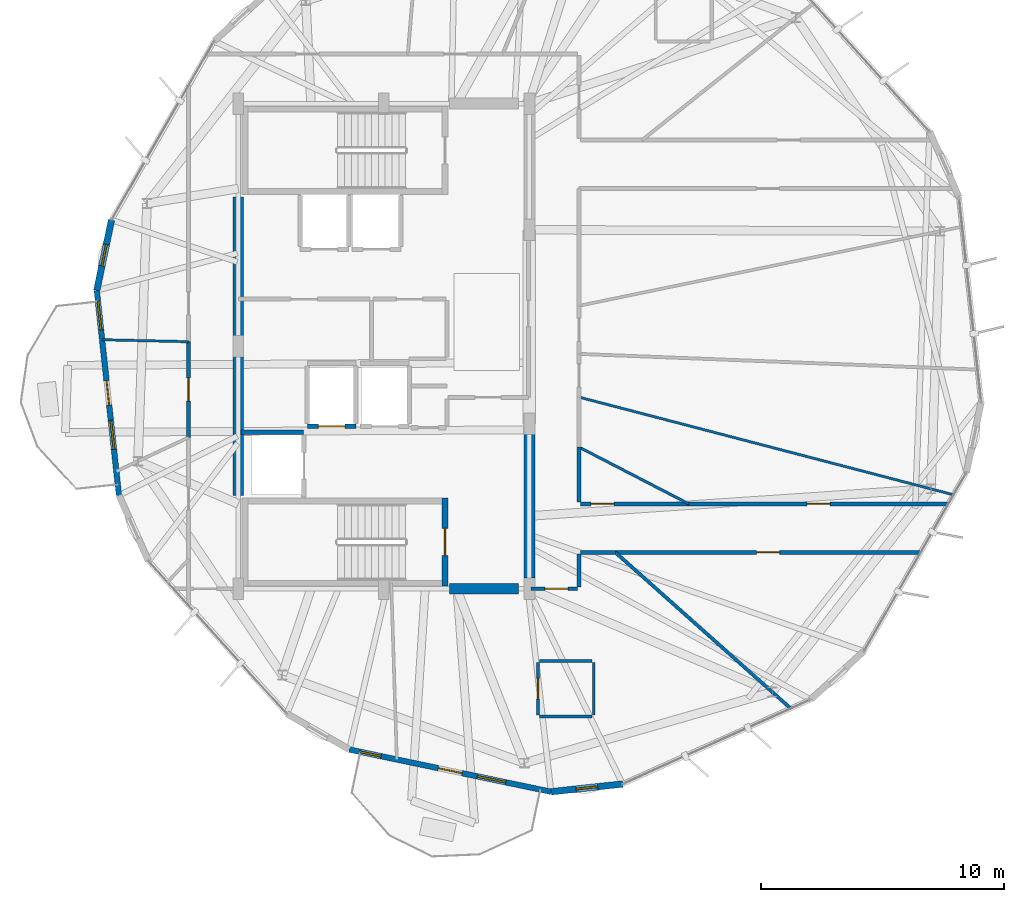
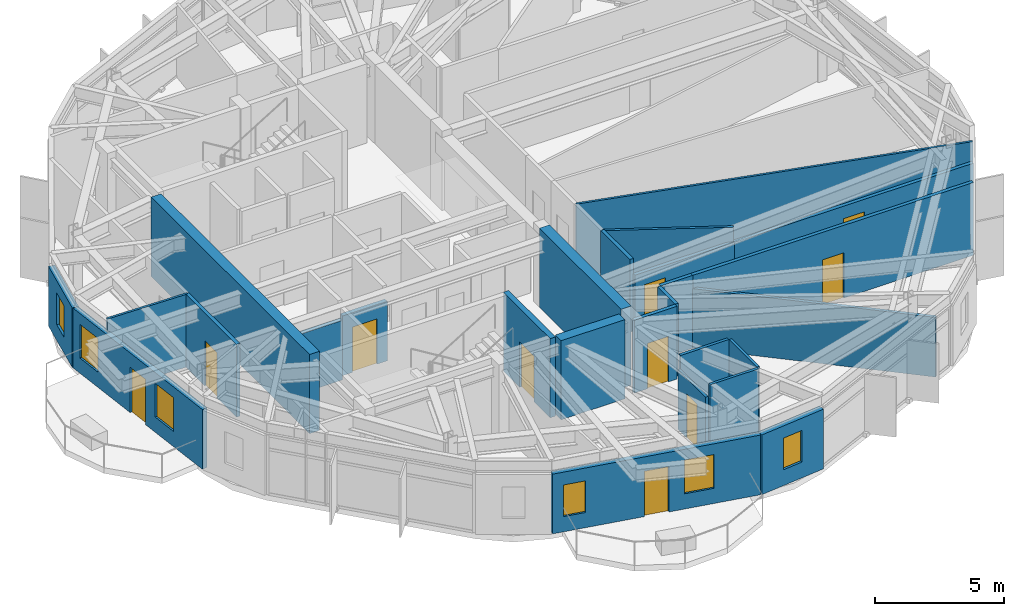
# One storey, part 17 of 23: 26 walls, 10 doors, 6 windows, 16 openings.
"""IFC4 building model written with IfcOpenShell, lengths in metres."""

from ifc_helpers import new_model, si_unit, direction, frame, frame_2d, origin, place, context, subcontext, project, spatial, rectangle, extrude, material, layer, layer_set, type_object, element, fill, save


model = new_model("IFC4")

# Units and contexts
model_context = context("Model", 3, precision=1e-05, world=origin(), true_north=direction((0.0, 1.0)))
body_context = subcontext(model_context, "Body", "Model", "MODEL_VIEW")
ifc_project = project(units=[si_unit("LENGTHUNIT", "METRE"), si_unit("AREAUNIT", "SQUARE_METRE"), si_unit("VOLUMEUNIT", "CUBIC_METRE"), si_unit("PLANEANGLEUNIT", "RADIAN"), si_unit("MASSUNIT", "GRAM", prefix="KILO")], contexts=[model_context])

# Site, building, storey
site_placement = place(None, origin())
site = spatial("IfcSite", under=ifc_project, at=site_placement, CompositionType="ELEMENT")
building_placement = place(site_placement, origin())
building = spatial("IfcBuilding", under=site, at=building_placement, Name="Soratama Intermodal Tower", CompositionType="ELEMENT")
storey_placement = place(building_placement, frame((0.0, 0.0, 253.75)))
storey = spatial("IfcBuildingStorey", under=building, at=storey_placement, Name="L64", CompositionType="ELEMENT", Elevation=253.75)

# Wall, openings, door, windows
ifc_material_1 = material(Name="Concrete f'c 42 MPa", Category="concrete")
ifc_layer_1 = layer(ifc_material_1, 0.22998046875)
ifc_layer_set_1 = layer_set([ifc_layer_1], Name="Concrete f'c 42 MPa")
wall_type_1 = type_object("IfcWallType", Name="EW-BAL-230", PredefinedType="SOLIDWALL", material=ifc_layer_set_1)
wall_1_placement = place(storey_placement, frame((26.7666015625, 27.30029296875, 0.0), z_axis=(0.0, 0.0, 1.0), x_axis=(0.107656797247, -0.994188118017, 0.0)))
wall_1 = element("IfcWall", 1, at=wall_1_placement, inside=storey, type_object=wall_type_1, Name="L64 Terrace Wall F04", PredefinedType="SOLIDWALL", context=body_context, shape_type="SweptSolid", body=[
    extrude(rectangle(XDim=8.49951171875, YDim=0.22998046875, at=frame_2d((4.249755859375, 0.0))), origin(), (0.0, 0.0, 1.0), 2.8291015625),
])
opening_1_placement = place(wall_1_placement, frame((3.75, 0.0, 0.0)))
opening_1 = element("IfcOpeningElement", 2, at=opening_1_placement, cuts=wall_1, Name="Opening ED-2", PredefinedType="OPENING", context=body_context, shape_type="SweptSolid", body=[
    extrude(rectangle(XDim=1.0, YDim=2.14990234375, at=frame_2d((0.5, 1.074951171875))), frame((0.0, 0.125, 0.0), z_axis=(0.0, -1.0, 0.0), x_axis=(1.0, 0.0, 0.0)), (0.0, 0.0, 1.0), 0.25),
])
opening_2_placement = place(wall_1_placement, frame((0.43994140625, 0.0, 0.719970703125)))
opening_2 = element("IfcOpeningElement", 3, at=opening_2_placement, cuts=wall_1, Name="Opening WN-2", PredefinedType="OPENING", context=body_context, shape_type="SweptSolid", body=[
    extrude(rectangle(XDim=1.199951171875, YDim=1.60009765625, at=frame_2d((0.60009765625, 0.800048828125))), frame((0.0, 0.125, 0.0), z_axis=(0.0, -1.0, 0.0), x_axis=(1.0, 0.0, 0.0)), (0.0, 0.0, 1.0), 0.25),
])
opening_3_placement = place(wall_1_placement, frame((5.389892578125, 0.0, 0.719970703125)))
opening_3 = element("IfcOpeningElement", 4, at=opening_3_placement, cuts=wall_1, Name="Opening WN-2", PredefinedType="OPENING", context=body_context, shape_type="SweptSolid", body=[
    extrude(rectangle(XDim=1.199951171875, YDim=1.60009765625, at=frame_2d((0.60009765625, 0.800048828125))), frame((0.0, 0.125, 0.0), z_axis=(0.0, -1.0, 0.0), x_axis=(1.0, 0.0, 0.0)), (0.0, 0.0, 1.0), 0.25),
])
ifc_material_2 = material(Name="Double-glazed aluminium door", Category="aluminium")
door_type_1 = type_object("IfcDoorType", Name="DR-BAL-1000", OperationType="NOTDEFINED", PredefinedType="DOOR", material=ifc_material_2)
door_1_placement = place(opening_1_placement, origin())
door_1 = element("IfcDoor", 5, at=door_1_placement, inside=storey, type_object=door_type_1, Name="L64 Balcony Door F04", OperationType="SINGLE_SWING_RIGHT", OverallHeight=2.14990234375, OverallWidth=1.0, PredefinedType="DOOR", context=body_context, shape_type="SweptSolid", body=[
    extrude(rectangle(XDim=1.0, YDim=2.14990234375, at=frame_2d((0.5, 1.074951171875))), frame((0.0, 0.02490234375, 0.0), z_axis=(0.0, -1.0, 0.0), x_axis=(1.0, 0.0, 0.0)), (0.0, 0.0, 1.0), 0.050048828125),
])
fill(opening_1, door_1)
ifc_material_3 = material(Name="Double-glazed aluminium window", Category="aluminium")
window_type_1 = type_object("IfcWindowType", Name="WN-FAC-1200", PartitioningType="SINGLE_PANEL", PredefinedType="WINDOW", material=ifc_material_3)
window_1_placement = place(opening_2_placement, origin())
window_1 = element("IfcWindow", 6, at=window_1_placement, inside=storey, type_object=window_type_1, Name="L64 Window A F04", OverallHeight=1.60009765625, OverallWidth=1.199951171875, PartitioningType="SINGLE_PANEL", PredefinedType="WINDOW", context=body_context, shape_type="SweptSolid", body=[
    extrude(rectangle(XDim=1.199951171875, YDim=1.60009765625, at=frame_2d((0.60009765625, 0.800048828125))), frame((0.0, 0.030029296875, 0.0), z_axis=(0.0, -1.0, 0.0), x_axis=(1.0, 0.0, 0.0)), (0.0, 0.0, 1.0), 0.06005859375),
])
fill(opening_2, window_1)
window_2_placement = place(opening_3_placement, origin())
window_2 = element("IfcWindow", 7, at=window_2_placement, inside=storey, type_object=window_type_1, Name="L64 Window B F04", OverallHeight=1.60009765625, OverallWidth=1.199951171875, PartitioningType="SINGLE_PANEL", PredefinedType="WINDOW", context=body_context, shape_type="SweptSolid", body=[
    extrude(rectangle(XDim=1.199951171875, YDim=1.60009765625, at=frame_2d((0.60009765625, 0.800048828125))), frame((0.0, 0.030029296875, 0.0), z_axis=(0.0, -1.0, 0.0), x_axis=(1.0, 0.0, 0.0)), (0.0, 0.0, 1.0), 0.06005859375),
])
fill(opening_3, window_2)

wall_2_placement = place(storey_placement, frame((37.177734375, 8.369873046875, 0.0), z_axis=(0.0, 0.0, 1.0), x_axis=(0.978792902195, -0.204852275096, 0.0)))
wall_2 = element("IfcWall", 8, at=wall_2_placement, inside=storey, type_object=wall_type_1, Name="L64 Terrace Wall F06", PredefinedType="SOLIDWALL", context=body_context, shape_type="SweptSolid", body=[
    extrude(rectangle(XDim=8.499755859375, YDim=0.22998046875, at=frame_2d((4.25, 0.0))), origin(), (0.0, 0.0, 1.0), 2.8291015625),
])
opening_4_placement = place(wall_2_placement, frame((3.75, 0.0, 0.0)))
opening_4 = element("IfcOpeningElement", 9, at=opening_4_placement, cuts=wall_2, Name="Opening ED-2", PredefinedType="OPENING", context=body_context, shape_type="SweptSolid", body=[
    extrude(rectangle(XDim=1.0, YDim=2.14990234375, at=frame_2d((0.5, 1.074951171875))), frame((0.0, 0.125, 0.0), z_axis=(0.0, -1.0, 0.0), x_axis=(1.0, 0.0, 0.0)), (0.0, 0.0, 1.0), 0.25),
])
opening_5_placement = place(wall_2_placement, frame((0.43994140625, 0.0, 0.719970703125)))
opening_5 = element("IfcOpeningElement", 10, at=opening_5_placement, cuts=wall_2, Name="Opening WN-6", PredefinedType="OPENING", context=body_context, shape_type="SweptSolid", body=[
    extrude(rectangle(XDim=0.89990234375, YDim=1.5, at=frame_2d((0.449951171875, 0.75))), frame((0.0, 0.125, 0.0), z_axis=(0.0, -1.0, 0.0), x_axis=(1.0, 0.0, 0.0)), (0.0, 0.0, 1.0), 0.25),
])
opening_6_placement = place(wall_2_placement, frame((5.389892578125, 0.0, 0.719970703125)))
opening_6 = element("IfcOpeningElement", 11, at=opening_6_placement, cuts=wall_2, Name="Opening WN-2", PredefinedType="OPENING", context=body_context, shape_type="SweptSolid", body=[
    extrude(rectangle(XDim=1.199951171875, YDim=1.60009765625, at=frame_2d((0.60009765625, 0.800048828125))), frame((0.0, 0.125, 0.0), z_axis=(0.0, -1.0, 0.0), x_axis=(1.0, 0.0, 0.0)), (0.0, 0.0, 1.0), 0.25),
])
door_2_placement = place(opening_4_placement, origin())
door_2 = element("IfcDoor", 12, at=door_2_placement, inside=storey, type_object=door_type_1, Name="L64 Balcony Door F06", OperationType="SINGLE_SWING_RIGHT", OverallHeight=2.14990234375, OverallWidth=1.0, PredefinedType="DOOR", context=body_context, shape_type="SweptSolid", body=[
    extrude(rectangle(XDim=1.0, YDim=2.14990234375, at=frame_2d((0.5, 1.074951171875))), frame((0.0, 0.02490234375, 0.0), z_axis=(0.0, -1.0, 0.0), x_axis=(1.0, 0.0, 0.0)), (0.0, 0.0, 1.0), 0.050048828125),
])
fill(opening_4, door_2)
window_3_placement = place(opening_6_placement, origin())
window_3 = element("IfcWindow", 13, at=window_3_placement, inside=storey, type_object=window_type_1, Name="L64 Window B F06", OverallHeight=1.60009765625, OverallWidth=1.199951171875, PartitioningType="SINGLE_PANEL", PredefinedType="WINDOW", context=body_context, shape_type="SweptSolid", body=[
    extrude(rectangle(XDim=1.199951171875, YDim=1.60009765625, at=frame_2d((0.60009765625, 0.800048828125))), frame((0.0, 0.030029296875, 0.0), z_axis=(0.0, -1.0, 0.0), x_axis=(1.0, 0.0, 0.0)), (0.0, 0.0, 1.0), 0.06005859375),
])
fill(opening_6, window_3)
ifc_material_4 = material(Name="Double-glazed aluminium window", Category="aluminium")
window_type_2 = type_object("IfcWindowType", Name="WN-FAC-900", PartitioningType="SINGLE_PANEL", PredefinedType="WINDOW", material=ifc_material_4)
window_4_placement = place(opening_5_placement, origin())
window_4 = element("IfcWindow", 14, at=window_4_placement, inside=storey, type_object=window_type_2, Name="L64 Window A F06", OverallHeight=1.5, OverallWidth=0.89990234375, PartitioningType="SINGLE_PANEL", PredefinedType="WINDOW", context=body_context, shape_type="SweptSolid", body=[
    extrude(rectangle(XDim=0.89990234375, YDim=1.5, at=frame_2d((0.449951171875, 0.75))), frame((0.0, 0.030029296875, 0.0), z_axis=(0.0, -1.0, 0.0), x_axis=(1.0, 0.0, 0.0)), (0.0, 0.0, 1.0), 0.06005859375),
])
fill(opening_5, window_4)

# Wall, opening, window
ifc_material_5 = material(Name="Concrete f'c 42 MPa", Category="concrete")
ifc_layer_2 = layer(ifc_material_5, 0.27001953125)
ifc_layer_set_2 = layer_set([ifc_layer_2], Name="Concrete f'c 42 MPa")
wall_type_2 = type_object("IfcWallType", Name="EW-CRN-270", PredefinedType="SOLIDWALL", material=ifc_layer_set_2)
wall_3_placement = place(storey_placement, frame((27.374267578125, 30.2041015625, 0.0), z_axis=(0.0, 0.0, 1.0), x_axis=(-0.204828317867, -0.978797915915, 0.0)))
wall_3 = element("IfcWall", 15, at=wall_3_placement, inside=storey, type_object=wall_type_2, Name="L64 Corner Closure Wall 03", PredefinedType="SOLIDWALL", context=body_context, shape_type="SweptSolid", body=[
    extrude(rectangle(XDim=2.966796875, YDim=0.27001953125, at=frame_2d((1.4833984375, 0.0))), origin(), (0.0, 0.0, 1.0), 2.8291015625),
])
opening_7_placement = place(wall_3_placement, frame((1.033203125, 0.0, 0.75)))
opening_7 = element("IfcOpeningElement", 16, at=opening_7_placement, cuts=wall_3, Name="Opening WN-6", PredefinedType="OPENING", context=body_context, shape_type="SweptSolid", body=[
    extrude(rectangle(XDim=0.89990234375, YDim=1.5, at=frame_2d((0.449951171875, 0.75))), frame((0.0, 0.14501953125, 0.0), z_axis=(0.0, -1.0, 0.0), x_axis=(1.0, 0.0, 0.0)), (0.0, 0.0, 1.0), 0.2900390625),
])
window_5_placement = place(opening_7_placement, origin())
window_5 = element("IfcWindow", 17, at=window_5_placement, inside=storey, type_object=window_type_2, Name="L64 Corner Window 03", OverallHeight=1.5, OverallWidth=0.89990234375, PartitioningType="SINGLE_PANEL", PredefinedType="WINDOW", context=body_context, shape_type="SweptSolid", body=[
    extrude(rectangle(XDim=0.89990234375, YDim=1.5, at=frame_2d((0.449951171875, 0.75))), frame((0.0, 0.030029296875, 0.0), z_axis=(0.0, -1.0, 0.0), x_axis=(1.0, 0.0, 0.0)), (0.0, 0.0, 1.0), 0.06005859375),
])
fill(opening_7, window_5)

wall_4_placement = place(storey_placement, frame((45.497314453125, 6.628662109375, 0.0), z_axis=(0.0, 0.0, 1.0), x_axis=(0.994188969029, 0.107648938037, 0.0)))
wall_4 = element("IfcWall", 18, at=wall_4_placement, inside=storey, type_object=wall_type_2, Name="L64 Corner Closure Wall 06", PredefinedType="SOLIDWALL", context=body_context, shape_type="SweptSolid", body=[
    extrude(rectangle(XDim=2.966552734375, YDim=0.27001953125, at=frame_2d((1.4833984375, 0.0))), origin(), (0.0, 0.0, 1.0), 2.8291015625),
])
opening_8_placement = place(wall_4_placement, frame((1.033203125, 0.0, 0.75)))
opening_8 = element("IfcOpeningElement", 19, at=opening_8_placement, cuts=wall_4, Name="Opening WN-6", PredefinedType="OPENING", context=body_context, shape_type="SweptSolid", body=[
    extrude(rectangle(XDim=0.89990234375, YDim=1.5, at=frame_2d((0.449951171875, 0.75))), frame((0.0, 0.14501953125, 0.0), z_axis=(0.0, -1.0, 0.0), x_axis=(1.0, 0.0, 0.0)), (0.0, 0.0, 1.0), 0.2900390625),
])
window_6_placement = place(opening_8_placement, origin())
window_6 = element("IfcWindow", 20, at=window_6_placement, inside=storey, type_object=window_type_2, Name="L64 Corner Window 06", OverallHeight=1.5, OverallWidth=0.89990234375, PartitioningType="SINGLE_PANEL", PredefinedType="WINDOW", context=body_context, shape_type="SweptSolid", body=[
    extrude(rectangle(XDim=0.89990234375, YDim=1.5, at=frame_2d((0.449951171875, 0.75))), frame((0.0, 0.030029296875, 0.0), z_axis=(0.0, -1.0, 0.0), x_axis=(1.0, 0.0, 0.0)), (0.0, 0.0, 1.0), 0.06005859375),
])
fill(opening_8, window_6)

# Wall, opening, door
ifc_material_6 = material(Name="Fire-rated gypsum stud partition", Category="concrete")
ifc_layer_3 = layer(ifc_material_6, 0.159912109375)
ifc_layer_set_3 = layer_set([ifc_layer_3], Name="Fire-rated gypsum stud partition")
wall_type_3 = type_object("IfcWallType", Name="IW-PART-R160", PredefinedType="PARTITIONING", material=ifc_layer_set_3)
wall_5_placement = place(storey_placement, frame((60.737060546875, 16.5, 0.0), z_axis=(0.0, 0.0, 1.0), x_axis=(-1.0, 0.0, 0.0)))
wall_5 = element("IfcWall", 21, at=wall_5_placement, inside=storey, type_object=wall_type_3, Name="L64 Partition W-L64-TP005", PredefinedType="PARTITIONING", context=body_context, shape_type="SweptSolid", body=[
    extrude(rectangle(XDim=12.588134765625, YDim=0.159912109375, at=frame_2d((6.2939453125, 0.0))), origin(), (0.0, 0.0, 1.0), 3.449951171875),
])
opening_9_placement = place(wall_5_placement, frame((5.819091796875, 0.0, 0.0)))
opening_9 = element("IfcOpeningElement", 22, at=opening_9_placement, cuts=wall_5, Name="Opening ID-3", PredefinedType="OPENING", context=body_context, shape_type="SweptSolid", body=[
    extrude(rectangle(XDim=0.949951171875, YDim=2.14990234375, at=frame_2d((0.47509765625, 1.074951171875))), frame((0.0, 0.08984375, 0.0), z_axis=(0.0, -1.0, 0.0), x_axis=(1.0, 0.0, 0.0)), (0.0, 0.0, 1.0), 0.179931640625),
])
ifc_material_7 = material(Name="Solid hardwood acoustic door", Category="wood")
door_type_2 = type_object("IfcDoorType", Name="DR-ROOM-950", OperationType="NOTDEFINED", PredefinedType="DOOR", material=ifc_material_7)
door_3_placement = place(opening_9_placement, origin())
door_3 = element("IfcDoor", 23, at=door_3_placement, inside=storey, type_object=door_type_2, Name="L64 Door D-L64-TP002", OperationType="SINGLE_SWING_LEFT", OverallHeight=2.14990234375, OverallWidth=0.949951171875, PredefinedType="DOOR", context=body_context, shape_type="SweptSolid", body=[
    extrude(rectangle(XDim=0.949951171875, YDim=2.14990234375, at=frame_2d((0.47509765625, 1.074951171875))), frame((0.0, 0.02490234375, 0.0), z_axis=(0.0, -1.0, 0.0), x_axis=(1.0, 0.0, 0.0)), (0.0, 0.0, 1.0), 0.050048828125),
])
fill(opening_9, door_3)

wall_6_placement = place(storey_placement, frame((51.175048828125, 18.5, 0.0), z_axis=(0.0, 0.0, 1.0), x_axis=(1.0, 0.0, 0.0)))
wall_6 = element("IfcWall", 24, at=wall_6_placement, inside=storey, type_object=wall_type_3, Name="L64 Partition W-L64-TP007", PredefinedType="PARTITIONING", context=body_context, shape_type="SweptSolid", body=[
    extrude(rectangle(XDim=10.7080078125, YDim=0.159912109375, at=frame_2d((5.35400390625, 0.0))), origin(), (0.0, 0.0, 1.0), 2.7451171875),
])
opening_10_placement = place(wall_6_placement, frame((4.87890625, 0.0, 0.0)))
opening_10 = element("IfcOpeningElement", 25, at=opening_10_placement, cuts=wall_6, Name="Opening ID-3", PredefinedType="OPENING", context=body_context, shape_type="SweptSolid", body=[
    extrude(rectangle(XDim=0.949951171875, YDim=2.14990234375, at=frame_2d((0.47509765625, 1.074951171875))), frame((0.0, 0.08984375, 0.0), z_axis=(0.0, -1.0, 0.0), x_axis=(1.0, 0.0, 0.0)), (0.0, 0.0, 1.0), 0.179931640625),
])
door_4_placement = place(opening_10_placement, origin())
door_4 = element("IfcDoor", 26, at=door_4_placement, inside=storey, type_object=door_type_2, Name="L64 Door D-L64-TP004", OperationType="SINGLE_SWING_LEFT", OverallHeight=2.14990234375, OverallWidth=0.949951171875, PredefinedType="DOOR", context=body_context, shape_type="SweptSolid", body=[
    extrude(rectangle(XDim=0.949951171875, YDim=2.14990234375, at=frame_2d((0.47509765625, 1.074951171875))), frame((0.0, 0.02490234375, 0.0), z_axis=(0.0, -1.0, 0.0), x_axis=(1.0, 0.0, 0.0)), (0.0, 0.0, 1.0), 0.050048828125),
])
fill(opening_10, door_4)

wall_7_placement = place(storey_placement, frame((46.719970703125, 18.5, 0.0), z_axis=(0.0, 0.0, 1.0), x_axis=(1.0, 0.0, 0.0)))
wall_7 = element("IfcWall", 27, at=wall_7_placement, inside=storey, type_object=wall_type_3, Name="L64 Partition W-L64-TP020", PredefinedType="PARTITIONING", context=body_context, shape_type="SweptSolid", body=[
    extrude(rectangle(XDim=4.455078125, YDim=0.159912109375, at=frame_2d((2.2275390625, 0.0))), origin(), (0.0, 0.0, 1.0), 2.7451171875),
])
opening_11_placement = place(wall_7_placement, frame((0.416015625, 0.0, 0.0)))
opening_11 = element("IfcOpeningElement", 28, at=opening_11_placement, cuts=wall_7, Name="Opening ID-3", PredefinedType="OPENING", context=body_context, shape_type="SweptSolid", body=[
    extrude(rectangle(XDim=0.949951171875, YDim=2.14990234375, at=frame_2d((0.47509765625, 1.074951171875))), frame((0.0, 0.08984375, 0.0), z_axis=(0.0, -1.0, 0.0), x_axis=(1.0, 0.0, 0.0)), (0.0, 0.0, 1.0), 0.179931640625),
])
door_5_placement = place(opening_11_placement, origin())
door_5 = element("IfcDoor", 29, at=door_5_placement, inside=storey, type_object=door_type_2, Name="L64 Door D-L64-TP010", OperationType="SINGLE_SWING_LEFT", OverallHeight=2.14990234375, OverallWidth=0.949951171875, PredefinedType="DOOR", context=body_context, shape_type="SweptSolid", body=[
    extrude(rectangle(XDim=0.949951171875, YDim=2.14990234375, at=frame_2d((0.47509765625, 1.074951171875))), frame((0.0, 0.02490234375, 0.0), z_axis=(0.0, -1.0, 0.0), x_axis=(1.0, 0.0, 0.0)), (0.0, 0.0, 1.0), 0.050048828125),
])
fill(opening_11, door_5)

wall_8_placement = place(storey_placement, frame((30.550048828125, 21.23388671875, 0.0), z_axis=(0.0, 0.0, 1.0), x_axis=(0.0, 1.0, 0.0)))
wall_8 = element("IfcWall", 30, at=wall_8_placement, inside=storey, type_object=wall_type_3, Name="L64 Partition W-L64-TP021", PredefinedType="PARTITIONING", context=body_context, shape_type="SweptSolid", body=[
    extrude(rectangle(XDim=3.951171875, YDim=0.159912109375, at=frame_2d((1.9755859375, 0.0))), origin(), (0.0, 0.0, 1.0), 3.449951171875),
])
opening_12_placement = place(wall_8_placement, frame((1.5, 0.0, 0.0)))
opening_12 = element("IfcOpeningElement", 31, at=opening_12_placement, cuts=wall_8, Name="Opening ID-3", PredefinedType="OPENING", context=body_context, shape_type="SweptSolid", body=[
    extrude(rectangle(XDim=0.949951171875, YDim=2.14990234375, at=frame_2d((0.47509765625, 1.074951171875))), frame((0.0, 0.08984375, 0.0), z_axis=(0.0, -1.0, 0.0), x_axis=(1.0, 0.0, 0.0)), (0.0, 0.0, 1.0), 0.179931640625),
])
door_6_placement = place(opening_12_placement, origin())
door_6 = element("IfcDoor", 32, at=door_6_placement, inside=storey, type_object=door_type_2, Name="L64 Door D-L64-TP011", OperationType="SINGLE_SWING_RIGHT", OverallHeight=2.14990234375, OverallWidth=0.949951171875, PredefinedType="DOOR", context=body_context, shape_type="SweptSolid", body=[
    extrude(rectangle(XDim=0.949951171875, YDim=2.14990234375, at=frame_2d((0.47509765625, 1.074951171875))), frame((0.0, 0.02490234375, 0.0), z_axis=(0.0, -1.0, 0.0), x_axis=(1.0, 0.0, 0.0)), (0.0, 0.0, 1.0), 0.050048828125),
])
fill(opening_12, door_6)

# Wall
wall_9_placement = place(storey_placement, frame((46.64990234375, 20.839111328125, 0.0), z_axis=(0.0, 0.0, 1.0), x_axis=(0.0, -1.0, 0.0)))
element("IfcWall", 33, at=wall_9_placement, inside=storey, type_object=wall_type_3, Name="L64 Partition W-L64-TP033", PredefinedType="PARTITIONING", context=body_context, shape_type="SweptSolid", body=[
    extrude(rectangle(XDim=2.26904296875, YDim=0.159912109375, at=frame_2d((1.134521484375, 0.0))), origin(), (0.0, 0.0, 1.0), 3.449951171875),
])

# Wall, opening, door
wall_10_placement = place(storey_placement, frame((46.580078125, 15.0, 0.0), z_axis=(0.0, 0.0, 1.0), x_axis=(-1.0, 0.0, 0.0)))
wall_10 = element("IfcWall", 34, at=wall_10_placement, inside=storey, type_object=wall_type_3, Name="L64 Partition W-L64-TP044", PredefinedType="PARTITIONING", context=body_context, shape_type="SweptSolid", body=[
    extrude(rectangle(XDim=1.91015625, YDim=0.159912109375, at=frame_2d((0.955078125, 0.0))), origin(), (0.0, 0.0, 1.0), 3.449951171875),
])
opening_13_placement = place(wall_10_placement, frame((0.384033203125, 0.0, 0.0)))
opening_13 = element("IfcOpeningElement", 35, at=opening_13_placement, cuts=wall_10, Name="Opening ID-3", PredefinedType="OPENING", context=body_context, shape_type="SweptSolid", body=[
    extrude(rectangle(XDim=0.949951171875, YDim=2.14990234375, at=frame_2d((0.47509765625, 1.074951171875))), frame((0.0, 0.08984375, 0.0), z_axis=(0.0, -1.0, 0.0), x_axis=(1.0, 0.0, 0.0)), (0.0, 0.0, 1.0), 0.179931640625),
])
door_7_placement = place(opening_13_placement, origin())
door_7 = element("IfcDoor", 36, at=door_7_placement, inside=storey, type_object=door_type_2, Name="L64 Door D-L64-TP020", OperationType="SINGLE_SWING_LEFT", OverallHeight=2.14990234375, OverallWidth=0.949951171875, PredefinedType="DOOR", context=body_context, shape_type="SweptSolid", body=[
    extrude(rectangle(XDim=0.949951171875, YDim=2.14990234375, at=frame_2d((0.47509765625, 1.074951171875))), frame((0.0, 0.02490234375, 0.0), z_axis=(0.0, -1.0, 0.0), x_axis=(1.0, 0.0, 0.0)), (0.0, 0.0, 1.0), 0.050048828125),
])
fill(opening_13, door_7)

# Walls
wall_11_placement = place(storey_placement, frame((48.14892578125, 16.5, 0.0), z_axis=(0.0, 0.0, 1.0), x_axis=(-1.0, 0.0, 0.0)))
element("IfcWall", 37, at=wall_11_placement, inside=storey, type_object=wall_type_3, Name="L64 Partition W-L64-TP049", PredefinedType="PARTITIONING", context=body_context, shape_type="SweptSolid", body=[
    extrude(rectangle(XDim=1.428955078125, YDim=0.159912109375, at=frame_2d((0.71435546875, 0.0))), origin(), (0.0, 0.0, 1.0), 3.449951171875),
])
wall_12_placement = place(storey_placement, frame((46.64990234375, 16.429931640625, 0.0), z_axis=(0.0, 0.0, 1.0), x_axis=(0.0, -1.0, 0.0)))
element("IfcWall", 38, at=wall_12_placement, inside=storey, type_object=wall_type_3, Name="L64 Partition W-L64-TP050", PredefinedType="PARTITIONING", context=body_context, shape_type="SweptSolid", body=[
    extrude(rectangle(XDim=1.35986328125, YDim=0.159912109375, at=frame_2d((0.679931640625, 0.0))), origin(), (0.0, 0.0, 1.0), 3.449951171875),
])
ifc_material_8 = material(Name="Fire-rated gypsum stud partition", Category="concrete")
ifc_layer_4 = layer(ifc_material_8, 0.10009765625)
ifc_layer_set_4 = layer_set([ifc_layer_4], Name="Fire-rated gypsum stud partition")
wall_type_4 = type_object("IfcWallType", Name="IW-PART-S100", PredefinedType="PARTITIONING", material=ifc_layer_set_4)
wall_13_placement = place(storey_placement, frame((46.64990234375, 22.90087890625, 0.0), z_axis=(0.0, 0.0, 1.0), x_axis=(0.967645201087, -0.252314812909, 0.0)))
element("IfcWall", 39, at=wall_13_placement, inside=storey, type_object=wall_type_4, Name="L64 Partition W-L64-TP003", PredefinedType="PARTITIONING", context=body_context, shape_type="SweptSolid", body=[
    extrude(rectangle(XDim=15.963623046875, YDim=0.10009765625, at=frame_2d((7.98193359375, 0.0))), origin(), (0.0, 0.0, 1.0), 3.449951171875),
])
wall_14_placement = place(storey_placement, frame((30.550048828125, 25.18505859375, 0.0), z_axis=(0.0, 0.0, 1.0), x_axis=(-0.999735072364, 0.023017060731, 0.0)))
element("IfcWall", 40, at=wall_14_placement, inside=storey, type_object=wall_type_4, Name="L64 Partition W-L64-TP023", PredefinedType="PARTITIONING", context=body_context, shape_type="SweptSolid", body=[
    extrude(rectangle(XDim=3.56396484375, YDim=0.10009765625, at=frame_2d((1.781982421875, 0.0))), origin(), (0.0, 0.0, 1.0), 3.449951171875),
])
ifc_material_9 = material(Name="Fire-rated gypsum stud partition", Category="concrete")
ifc_layer_5 = layer(ifc_material_9, 0.110107421875)
ifc_layer_set_5 = layer_set([ifc_layer_5], Name="Fire-rated gypsum stud partition")
wall_type_5 = type_object("IfcWallType", Name="IW-PART-S110", PredefinedType="PARTITIONING", material=ifc_layer_set_5)
wall_15_placement = place(storey_placement, frame((46.64990234375, 20.839111328125, 0.0), z_axis=(0.0, 0.0, 1.0), x_axis=(0.888336308272, -0.459193427006, 0.0)))
element("IfcWall", 41, at=wall_15_placement, inside=storey, type_object=wall_type_5, Name="L64 Partition W-L64-TP017", PredefinedType="PARTITIONING", context=body_context, shape_type="SweptSolid", body=[
    extrude(rectangle(XDim=5.093994140625, YDim=0.110107421875, at=frame_2d((2.546875, 0.0))), origin(), (0.0, 0.0, 1.0), 3.449951171875),
])
wall_16_placement = place(storey_placement, frame((47.260009765625, 9.798095703125, 0.0), z_axis=(0.0, 0.0, 1.0), x_axis=(0.0, 1.0, 0.0)))
element("IfcWall", 42, at=wall_16_placement, inside=storey, type_object=wall_type_5, Name="L64 Partition W-L64-TP037", PredefinedType="PARTITIONING", context=body_context, shape_type="SweptSolid", body=[
    extrude(rectangle(XDim=2.159912109375, YDim=0.110107421875, at=frame_2d((1.080078125, 0.0))), origin(), (0.0, 0.0, 1.0), 3.449951171875),
])

# Wall, opening, door
ifc_material_10 = material(Name="Fire-rated gypsum stud partition", Category="concrete")
ifc_layer_6 = layer(ifc_material_10, 0.1201171875)
ifc_layer_set_6 = layer_set([ifc_layer_6], Name="Fire-rated gypsum stud partition")
wall_type_6 = type_object("IfcWallType", Name="IW-PART-S120", PredefinedType="PARTITIONING", material=ifc_layer_set_6)
wall_17_placement = place(storey_placement, frame((44.9599609375, 11.9580078125, 0.0), z_axis=(0.0, 0.0, 1.0), x_axis=(0.0, -1.0, 0.0)))
wall_17 = element("IfcWall", 43, at=wall_17_placement, inside=storey, type_object=wall_type_6, Name="L64 Partition W-L64-TP036", PredefinedType="PARTITIONING", context=body_context, shape_type="SweptSolid", body=[
    extrude(rectangle(XDim=2.159912109375, YDim=0.1201171875, at=frame_2d((1.080078125, 0.0))), origin(), (0.0, 0.0, 1.0), 2.827880859375),
])
opening_14_placement = place(wall_17_placement, frame((0.655029296875, 0.0, 0.0)))
opening_14 = element("IfcOpeningElement", 44, at=opening_14_placement, cuts=wall_17, Name="Opening ID-4", PredefinedType="OPENING", context=body_context, shape_type="SweptSolid", body=[
    extrude(rectangle(XDim=0.85009765625, YDim=2.10009765625, at=frame_2d((0.425048828125, 1.050048828125))), frame((0.0, 0.070068359375, 0.0), z_axis=(0.0, -1.0, 0.0), x_axis=(1.0, 0.0, 0.0)), (0.0, 0.0, 1.0), 0.14013671875),
])
ifc_material_11 = material(Name="Solid hardwood acoustic door", Category="wood")
door_type_3 = type_object("IfcDoorType", Name="DR-BATH-850", OperationType="NOTDEFINED", PredefinedType="DOOR", material=ifc_material_11)
door_8_placement = place(opening_14_placement, origin())
door_8 = element("IfcDoor", 45, at=door_8_placement, inside=storey, type_object=door_type_3, Name="L64 Door D-L64-TP018", OperationType="SINGLE_SWING_LEFT", OverallHeight=2.10009765625, OverallWidth=0.85009765625, PredefinedType="DOOR", context=body_context, shape_type="SweptSolid", body=[
    extrude(rectangle(XDim=0.85009765625, YDim=2.10009765625, at=frame_2d((0.425048828125, 1.050048828125))), frame((0.0, 0.02490234375, 0.0), z_axis=(0.0, -1.0, 0.0), x_axis=(1.0, 0.0, 0.0)), (0.0, 0.0, 1.0), 0.050048828125),
])
fill(opening_14, door_8)

# Walls
wall_18_placement = place(storey_placement, frame((45.030029296875, 9.72802734375, 0.0), z_axis=(0.0, 0.0, 1.0), x_axis=(1.0, 0.0, 0.0)))
element("IfcWall", 46, at=wall_18_placement, inside=storey, type_object=wall_type_6, Name="L64 Partition W-L64-TP041", PredefinedType="PARTITIONING", context=body_context, shape_type="SweptSolid", body=[
    extrude(rectangle(XDim=2.159912109375, YDim=0.1201171875, at=frame_2d((1.080078125, 0.0))), origin(), (0.0, 0.0, 1.0), 3.449951171875),
])
ifc_material_12 = material(Name="Fire-rated gypsum stud partition", Category="concrete")
ifc_layer_7 = layer(ifc_material_12, 0.1298828125)
ifc_layer_set_7 = layer_set([ifc_layer_7], Name="Fire-rated gypsum stud partition")
wall_type_7 = type_object("IfcWallType", Name="IW-PART-S130", PredefinedType="PARTITIONING", material=ifc_layer_set_7)
wall_19_placement = place(storey_placement, frame((47.18994140625, 12.028076171875, 0.0), z_axis=(0.0, 0.0, 1.0), x_axis=(-1.0, 0.0, 0.0)))
element("IfcWall", 47, at=wall_19_placement, inside=storey, type_object=wall_type_7, Name="L64 Partition W-L64-TP040", PredefinedType="PARTITIONING", context=body_context, shape_type="SweptSolid", body=[
    extrude(rectangle(XDim=2.159912109375, YDim=0.1298828125, at=frame_2d((1.080078125, 0.0))), origin(), (0.0, 0.0, 1.0), 3.449951171875),
])
ifc_material_13 = material(Name="Fire-rated gypsum stud partition", Category="concrete")
ifc_layer_8 = layer(ifc_material_13, 0.139892578125)
ifc_layer_set_8 = layer_set([ifc_layer_8], Name="Fire-rated gypsum stud partition")
wall_type_8 = type_object("IfcWallType", Name="IW-PART-S140", PredefinedType="PARTITIONING", material=ifc_layer_set_8)
wall_20_placement = place(storey_placement, frame((48.14892578125, 16.5, 0.0), z_axis=(0.0, 0.0, 1.0), x_axis=(0.74692778728, -0.664905166613, 0.0)))
element("IfcWall", 48, at=wall_20_placement, inside=storey, type_object=wall_type_8, Name="L64 Partition W-L64-TP009", PredefinedType="PARTITIONING", context=body_context, shape_type="SweptSolid", body=[
    extrude(rectangle(XDim=9.6826171875, YDim=0.139892578125, at=frame_2d((4.84130859375, 0.0))), origin(), (0.0, 0.0, 1.0), 2.827880859375),
])

# Wall, opening, door
ifc_material_14 = material(Name="Concrete f'c 42 MPa", Category="concrete")
ifc_layer_9 = layer(ifc_material_14, 0.18505859375)
ifc_layer_set_9 = layer_set([ifc_layer_9], Name="Concrete f'c 42 MPa")
wall_type_9 = type_object("IfcWallType", Name="IW-SHAFT-185", PredefinedType="SOLIDWALL", material=ifc_layer_set_9)
wall_21_placement = place(storey_placement, frame((35.449951171875, 21.699951171875, 0.0), z_axis=(0.0, 0.0, 1.0), x_axis=(1.0, 0.0, 0.0)))
wall_21 = element("IfcWall", 49, at=wall_21_placement, inside=storey, type_object=wall_type_9, Name="L64 FFL-1 Hoistway Wall S", PredefinedType="SOLIDWALL", context=body_context, shape_type="SweptSolid", body=[
    extrude(rectangle(XDim=2.0, YDim=0.18505859375, at=frame_2d((1.0, 0.0))), origin(), (0.0, 0.0, 1.0), 2.823974609375),
])
opening_15_placement = place(wall_21_placement, frame((0.449951171875, 0.0, 0.0)))
opening_15 = element("IfcOpeningElement", 50, at=opening_15_placement, cuts=wall_21, Name="Opening LD-1", PredefinedType="OPENING", context=body_context, shape_type="SweptSolid", body=[
    extrude(rectangle(XDim=1.10009765625, YDim=2.14990234375, at=frame_2d((0.550048828125, 1.074951171875))), frame((0.0, 0.1025390625, 0.0), z_axis=(0.0, -1.0, 0.0), x_axis=(1.0, 0.0, 0.0)), (0.0, 0.0, 1.0), 0.205078125),
])
ifc_material_15 = material(Name="Steel fire door", Category="steel")
door_type_4 = type_object("IfcDoorType", Name="DR-LIFT-SLIDE", OperationType="NOTDEFINED", PredefinedType="DOOR", material=ifc_material_15)
door_9_placement = place(opening_15_placement, origin())
door_9 = element("IfcDoor", 51, at=door_9_placement, inside=storey, type_object=door_type_4, Name="L64 FFL-1 Sliding Landing Door", OperationType="SLIDING_TO_LEFT", OverallHeight=2.14990234375, OverallWidth=1.10009765625, PredefinedType="DOOR", context=body_context, shape_type="SweptSolid", body=[
    extrude(rectangle(XDim=1.10009765625, YDim=2.14990234375, at=frame_2d((0.550048828125, 1.074951171875))), frame((0.0, 0.02490234375, 0.0), z_axis=(0.0, -1.0, 0.0), x_axis=(1.0, 0.0, 0.0)), (0.0, 0.0, 1.0), 0.050048828125),
])
fill(opening_15, door_9)

# Walls
wall_22_placement = place(storey_placement, frame((32.719970703125, 21.449951171875, 0.0), z_axis=(0.0, 0.0, 1.0), x_axis=(1.0, 0.0, 0.0)))
element("IfcWall", 52, at=wall_22_placement, inside=storey, type_object=wall_type_9, Name="L64 SVL-1 Hoistway Wall N", PredefinedType="SOLIDWALL", context=body_context, shape_type="SweptSolid", body=[
    extrude(rectangle(XDim=2.580078125, YDim=0.18505859375, at=frame_2d((1.2900390625, 0.0))), origin(), (0.0, 0.0, 1.0), 2.823974609375),
])
ifc_material_16 = material(Name="Concrete f'c 56 MPa", Category="concrete")
ifc_layer_10 = layer(ifc_material_16, 0.449951171875)
ifc_layer_set_10 = layer_set([ifc_layer_10], Name="Concrete f'c 56 MPa")
wall_type_10 = type_object("IfcWallType", Name="SW-CORE-450", PredefinedType="SHEAR", material=ifc_layer_set_10)
wall_23_placement = place(storey_placement, frame((32.60009765625, 18.85009765625, 0.0), z_axis=(0.0, 0.0, 1.0), x_axis=(0.0, 1.0, 0.0)))
element("IfcWall", 53, at=wall_23_placement, inside=storey, type_object=wall_type_10, Name="L64 Core Shear Wall CW-WMID", PredefinedType="SHEAR", context=body_context, shape_type="SweptSolid", body=[
    extrude(rectangle(XDim=12.2998046875, YDim=0.449951171875, at=frame_2d((6.14990234375, 0.0))), origin(), (0.0, 0.0, 1.0), 3.75),
])
wall_24_placement = place(storey_placement, frame((41.300048828125, 15.0, 0.0), z_axis=(0.0, 0.0, 1.0), x_axis=(1.0, 0.0, 0.0)))
element("IfcWall", 54, at=wall_24_placement, inside=storey, type_object=wall_type_10, Name="L64 Core Shear Wall CW-SE", PredefinedType="SHEAR", context=body_context, shape_type="SweptSolid", body=[
    extrude(rectangle(XDim=2.849853515625, YDim=0.449951171875, at=frame_2d((1.4248046875, 0.0))), origin(), (0.0, 0.0, 1.0), 3.75),
])
wall_25_placement = place(storey_placement, frame((44.60009765625, 15.449951171875, 0.0), z_axis=(0.0, 0.0, 1.0), x_axis=(0.0, 1.0, 0.0)))
element("IfcWall", 55, at=wall_25_placement, inside=storey, type_object=wall_type_10, Name="L64 Core Shear Wall CW-ES", PredefinedType="SHEAR", context=body_context, shape_type="SweptSolid", body=[
    extrude(rectangle(XDim=6.35009765625, YDim=0.449951171875, at=frame_2d((3.175048828125, 0.0))), origin(), (0.0, 0.0, 1.0), 3.75),
])

# Wall, opening, door
ifc_material_17 = material(Name="Concrete f'c 56 MPa", Category="concrete")
ifc_layer_11 = layer(ifc_material_17, 0.239990234375)
ifc_layer_set_11 = layer_set([ifc_layer_11], Name="Concrete f'c 56 MPa")
wall_type_11 = type_object("IfcWallType", Name="SW-STAIR-240", PredefinedType="SHEAR", material=ifc_layer_set_11)
wall_26_placement = place(storey_placement, frame((41.1201171875, 15.110107421875, 0.0), z_axis=(0.0, 0.0, 1.0), x_axis=(0.0, 1.0, 0.0)))
wall_26 = element("IfcWall", 56, at=wall_26_placement, inside=storey, type_object=wall_type_11, Name="L64 ST-1 Shaft Shear Wall E", PredefinedType="SHEAR", context=body_context, shape_type="SweptSolid", body=[
    extrude(rectangle(XDim=3.6298828125, YDim=0.239990234375, at=frame_2d((1.81494140625, 0.0))), origin(), (0.0, 0.0, 1.0), 3.75),
])
opening_16_placement = place(wall_26_placement, frame((1.2548828125, 0.0, 0.0)))
opening_16 = element("IfcOpeningElement", 57, at=opening_16_placement, cuts=wall_26, Name="Opening SD-1", PredefinedType="OPENING", context=body_context, shape_type="SweptSolid", body=[
    extrude(rectangle(XDim=1.1201171875, YDim=2.14990234375, at=frame_2d((0.56005859375, 1.074951171875))), frame((0.0, 0.1298828125, 0.0), z_axis=(0.0, -1.0, 0.0), x_axis=(1.0, 0.0, 0.0)), (0.0, 0.0, 1.0), 0.260009765625),
])
ifc_material_18 = material(Name="Steel fire door", Category="steel")
door_type_5 = type_object("IfcDoorType", Name="DR-STAIR-FD90", OperationType="NOTDEFINED", PredefinedType="DOOR", material=ifc_material_18)
door_10_placement = place(opening_16_placement, origin())
door_10 = element("IfcDoor", 58, at=door_10_placement, inside=storey, type_object=door_type_5, Name="L64 ST-1 Exit Stair Door", OperationType="SINGLE_SWING_LEFT", OverallHeight=2.14990234375, OverallWidth=1.1201171875, PredefinedType="DOOR", context=body_context, shape_type="SweptSolid", body=[
    extrude(rectangle(XDim=1.1201171875, YDim=2.14990234375, at=frame_2d((0.56005859375, 1.074951171875))), frame((0.0, 0.02490234375, 0.0), z_axis=(0.0, -1.0, 0.0), x_axis=(1.0, 0.0, 0.0)), (0.0, 0.0, 1.0), 0.050048828125),
])
fill(opening_16, door_10)

save(model, "model.ifc")
